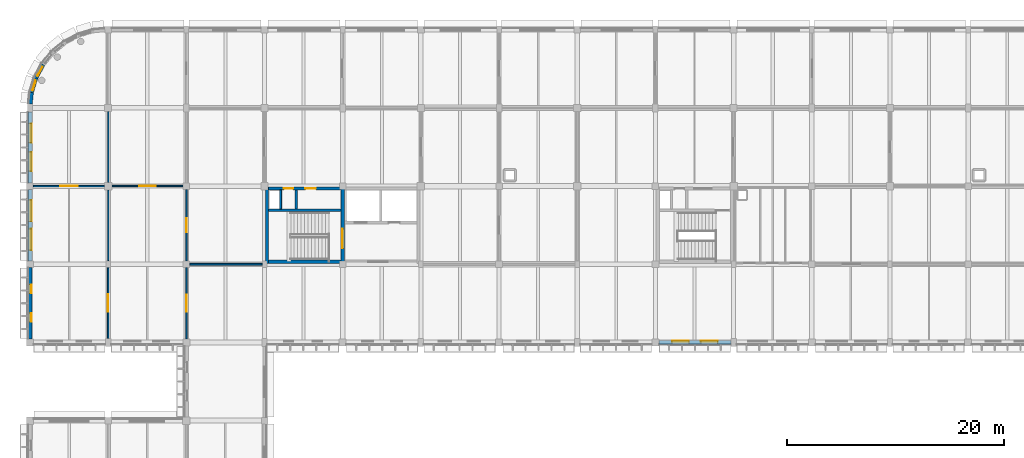
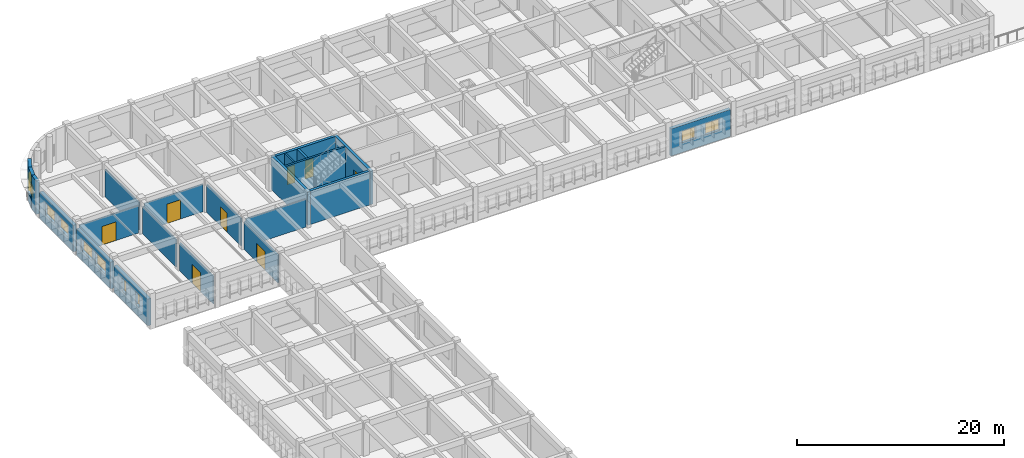
# One storey, part 24 of 38: 22 walls, 10 windows, 8 doors, 18 openings.
"""IFC4 building model written with IfcOpenShell, lengths in metres."""

import ifcopenshell
import ifcopenshell.guid

model = None  # the IFC model being written
_history = None  # IfcOwnerHistory: only IFC2X3 demands one
_inside = {}  # id of a spatial element -> (the spatial element, [elements in it])
_under = {}  # id of a project, library or spatial element -> (it, [spatial elements below it])
_declared = {}  # id of a project -> (the project, [libraries it declares])
_typed = {}  # id of a type object -> (the type object, [elements of that type])
_made_of = {}  # id of a material, layer set ... -> (it, [elements and type objects made of it])


def new_model(schema):
    """Start an empty IFC model of exactly this schema.

    Asked for "IFC4X3", IfcOpenShell would pick the latest addendum, in which some entities
    have other attributes; the version numbers below select the first issue.
    IFC2X3 requires an IfcOwnerHistory on every rooted entity: one is made here for all.
    """
    global model, _history
    if schema == "IFC4X3":
        model = ifcopenshell.file(schema_version=(4, 3, 0, 0))
    else:
        model = ifcopenshell.file(schema=schema)
    _inside.clear()
    _under.clear()
    _declared.clear()
    _typed.clear()
    _made_of.clear()
    _history = None
    if model.schema == "IFC2X3":
        org = make("IfcOrganization", Name="unknown")
        user = make(
            "IfcPersonAndOrganization",
            ThePerson=make("IfcPerson", FamilyName="unknown"),
            TheOrganization=org,
        )
        app = make(
            "IfcApplication",
            ApplicationDeveloper=org,
            Version="unknown",
            ApplicationFullName="unknown",
            ApplicationIdentifier="unknown",
        )
        _history = make(
            "IfcOwnerHistory",
            OwningUser=user,
            OwningApplication=app,
            ChangeAction="ADDED",
            CreationDate=0,
        )
    return model


def make(cls, **values):
    """One entity of the class cls with the attributes given. An attribute that is None is left unset."""
    return model.create_entity(
        cls, **{name: value for name, value in values.items() if value is not None}
    )


def rooted(cls, **values):
    """An entity with a GlobalId (a new one), such as an element, a storey or a relation."""
    return make(cls, GlobalId=ifcopenshell.guid.new(), OwnerHistory=_history, **values)


def si_unit(unit_type, name, prefix=None):
    """IfcSIUnit, for example si_unit("LENGTHUNIT", "METRE", prefix="MILLI")."""
    return make("IfcSIUnit", UnitType=unit_type, Prefix=prefix, Name=name)


def assignment(units):
    """IfcUnitAssignment: the units of a project."""
    return None if units is None else make("IfcUnitAssignment", Units=units)


def point(xyz):
    """IfcCartesianPoint."""
    return None if xyz is None else make("IfcCartesianPoint", Coordinates=xyz)


def direction(xyz):
    """IfcDirection."""
    return None if xyz is None else make("IfcDirection", DirectionRatios=xyz)


def frame(location, z_axis=None, x_axis=None):
    """IfcAxis2Placement3D, a coordinate frame: its origin and axes. An axis left out is left unset."""
    return make(
        "IfcAxis2Placement3D",
        Location=point(location),
        Axis=direction(z_axis),
        RefDirection=direction(x_axis),
    )


def frame_2d(location, x_axis=None):
    """IfcAxis2Placement2D, a coordinate frame in the plane: its origin and x axis."""
    return make(
        "IfcAxis2Placement2D", Location=point(location), RefDirection=direction(x_axis)
    )


def origin():
    """The frame at (0, 0, 0) with its axes left unset."""
    return frame((0.0, 0.0, 0.0))


def place(relative_to, where):
    """IfcLocalPlacement: puts the frame where relative to a parent placement (None: the world)."""
    return make(
        "IfcLocalPlacement", PlacementRelTo=relative_to, RelativePlacement=where
    )


def context(
    kind, dimensions, precision=None, world=None, true_north=None, identifier=None
):
    """IfcGeometricRepresentationContext, for example the 3D "Model" context."""
    return make(
        "IfcGeometricRepresentationContext",
        ContextIdentifier=identifier,
        ContextType=kind,
        CoordinateSpaceDimension=dimensions,
        Precision=precision,
        WorldCoordinateSystem=world,
        TrueNorth=true_north,
    )


def subcontext(parent, identifier, kind, view, scale=None):
    """IfcGeometricRepresentationSubContext, for example "Body" below "Model"."""
    return make(
        "IfcGeometricRepresentationSubContext",
        ContextIdentifier=identifier,
        ContextType=kind,
        ParentContext=parent,
        TargetScale=scale,
        TargetView=view,
    )


def project(units=None, contexts=None):
    """IfcProject with its units and contexts."""
    return rooted(
        "IfcProject",
        Name="project",
        RepresentationContexts=contexts,
        UnitsInContext=assignment(units),
    )


def spatial(cls, under=None, at=None, **own):
    """A site, building, storey or space (cls), placed at a placement, below another one or the project."""
    s = rooted(cls, ObjectPlacement=at, **own)
    if under is not None:
        _under.setdefault(under.id(), (under, []))[1].append(s)
    return s


def profile(cls, at=None, kind="AREA", **sizes):
    """A parametric profile (cls). Its sizes go by their IFC names, for example OverallWidth=200.0."""
    return make(cls, ProfileType=kind, Position=at, **sizes)


def rectangle(**sizes):
    """IfcRectangleProfileDef."""
    return profile("IfcRectangleProfileDef", **sizes)


def extrude(swept, where, along, depth):
    """IfcExtrudedAreaSolid: the profile swept, set in the frame where, extruded along a direction by depth."""
    return make(
        "IfcExtrudedAreaSolid",
        SweptArea=swept,
        Position=where,
        ExtrudedDirection=direction(along),
        Depth=depth,
    )


def shape(context_of_items, identifier, shape_type, items):
    """IfcShapeRepresentation: the items that make up one representation, for example the "Body"."""
    return make(
        "IfcShapeRepresentation",
        ContextOfItems=context_of_items,
        RepresentationIdentifier=identifier,
        RepresentationType=shape_type,
        Items=items,
    )


def material(Name=None, Category=None):
    """IfcMaterial."""
    return make("IfcMaterial", Name=Name, Category=Category)


def layer(
    of_material, thickness, ventilated=None, Name=None, Category=None, Priority=None
):
    """IfcMaterialLayer: one layer of a wall or slab, of a material (None: an air gap)."""
    return make(
        "IfcMaterialLayer",
        Material=of_material,
        LayerThickness=thickness,
        IsVentilated=ventilated,
        Name=Name,
        Category=Category,
        Priority=Priority,
    )


def layer_set(layers, Name=None):
    """IfcMaterialLayerSet."""
    return make("IfcMaterialLayerSet", MaterialLayers=layers, LayerSetName=Name)


def made_of(thing, what):
    """Note that an element or type object is made of a material, layer set ...; save() writes the relation."""
    if what is not None:
        _made_of.setdefault(what.id(), (what, []))[1].append(thing)
    return thing


def type_object(cls, material=None, **own):
    """A type object (cls), such as IfcWallType, which elements share."""
    return made_of(rooted(cls, **own), material)


def element(
    cls,
    number,
    at=None,
    inside=None,
    cuts=None,
    type_object=None,
    material=None,
    context=None,
    identifier="Body",
    shape_type=None,
    held_by="IfcProductDefinitionShape",
    body=None,
    shapes=None,
    **own,
):
    """One element of the class cls, such as IfcWall. Its Tag is "e" and its number.

    at: its placement. inside: the storey or other place that contains it. cuts: it is an
    opening in that element (IfcRelVoidsElement). A single representation is given by context,
    identifier, shape_type and body (its items); several are given by shapes. held_by: the class
    of the entity that holds the representations. save() writes the other relations.
    """
    e = rooted(cls, Tag="e%d" % number, ObjectPlacement=at, **own)
    if body is not None:
        shapes = [shape(context, identifier, shape_type, body)]
    if shapes is not None:
        e.Representation = make(held_by, Representations=shapes)
    if inside is not None:
        _inside.setdefault(inside.id(), (inside, []))[1].append(e)
    if cuts is not None:
        rooted(
            "IfcRelVoidsElement", RelatingBuildingElement=cuts, RelatedOpeningElement=e
        )
    if type_object is not None:
        _typed.setdefault(type_object.id(), (type_object, []))[1].append(e)
    return made_of(e, material)


def fill(opening, filler):
    """IfcRelFillsElement: the door or window that sits in an opening."""
    return rooted(
        "IfcRelFillsElement",
        RelatingOpeningElement=opening,
        RelatedBuildingElement=filler,
    )


def aggregate(whole, parts):
    """IfcRelAggregates: a whole, such as a stair, and the parts it consists of."""
    return rooted("IfcRelAggregates", RelatingObject=whole, RelatedObjects=parts)


def save(model, path):
    """Write the relations noted so far, then the file.

    IfcRelAggregates (storeys below a building ...), IfcRelContainedInSpatialStructure (elements
    in a storey), IfcRelDefinesByType, IfcRelAssociatesMaterial and IfcRelDeclares: one each for
    every whole, place, type object, material and project.
    """
    for whole, parts in _under.values():
        aggregate(whole, parts)
    for where, things in _inside.values():
        rooted(
            "IfcRelContainedInSpatialStructure",
            RelatedElements=things,
            RelatingStructure=where,
        )
    for kind, things in _typed.values():
        rooted("IfcRelDefinesByType", RelatedObjects=things, RelatingType=kind)
    for what, things in _made_of.values():
        rooted("IfcRelAssociatesMaterial", RelatedObjects=things, RelatingMaterial=what)
    for by, libraries in _declared.values():
        rooted("IfcRelDeclares", RelatingContext=by, RelatedDefinitions=libraries)
    model.write(path)


model = new_model("IFC4")

# Units and contexts
model_context = context("Model", 3, precision=1e-05, world=origin(), true_north=direction((0.0, 1.0)))
body_context = subcontext(model_context, "Body", "Model", "MODEL_VIEW")
ifc_project = project(units=[si_unit("LENGTHUNIT", "METRE"), si_unit("AREAUNIT", "SQUARE_METRE"), si_unit("VOLUMEUNIT", "CUBIC_METRE"), si_unit("PLANEANGLEUNIT", "RADIAN"), si_unit("MASSUNIT", "GRAM", prefix="KILO")], contexts=[model_context])

# Site, building, storey
site_placement = place(None, origin())
site = spatial("IfcSite", under=ifc_project, at=site_placement, CompositionType="ELEMENT")
building_placement = place(site_placement, origin())
building = spatial("IfcBuilding", under=site, at=building_placement, Name="Thalmaran Polytechnic", CompositionType="ELEMENT")
storey_placement = place(building_placement, frame((0.0, 0.0, 18.60009765625)))
storey = spatial("IfcBuildingStorey", under=building, at=storey_placement, Name="L04", CompositionType="ELEMENT", Elevation=18.60009765625)

# Wall, openings, windows
ifc_material_1 = material(Name="Precast concrete C40/50", Category="concrete")
ifc_layer_1 = layer(ifc_material_1, 0.360107421875, Name="Precast concrete C40/50")
ifc_layer_set_1 = layer_set([ifc_layer_1], Name="Precast concrete C40/50")
wall_type_1 = type_object("IfcWallType", Name="WL-EW01", PredefinedType="STANDARD", material=ifc_layer_set_1)
wall_1_placement = place(storey_placement, frame((0.0, 93.925048828125, 0.0), z_axis=(0.0, 0.0, 1.0), x_axis=(0.0, 1.0, 0.0)))
wall_1 = element("IfcWall", 1, at=wall_1_placement, inside=storey, type_object=wall_type_1, Name="Exterior Precast Facade Wall L04-042", PredefinedType="STANDARD", context=body_context, shape_type="SweptSolid", body=[
    extrude(rectangle(XDim=6.56494140625, YDim=0.360107421875, at=frame_2d((3.282470703125, 0.0))), origin(), (0.0, 0.0, 1.0), 3.14990234375),
])
opening_1_placement = place(wall_1_placement, frame((1.569580078125, 0.0, 1.14990234375)))
opening_1 = element("IfcOpeningElement", 2, at=opening_1_placement, cuts=wall_1, Name="Opening PW16", PredefinedType="OPENING", context=body_context, shape_type="SweptSolid", body=[
    extrude(rectangle(XDim=0.800048828125, YDim=1.5, at=frame_2d((0.39990234375, 0.75))), frame((0.0, 0.18994140625, 0.0), z_axis=(0.0, -1.0, 0.0), x_axis=(1.0, 0.0, 0.0)), (0.0, 0.0, 1.0), 0.380126953125),
])
opening_2_placement = place(wall_1_placement, frame((4.195556640625, 0.0, 1.14990234375)))
opening_2 = element("IfcOpeningElement", 3, at=opening_2_placement, cuts=wall_1, Name="Opening PW16", PredefinedType="OPENING", context=body_context, shape_type="SweptSolid", body=[
    extrude(rectangle(XDim=0.800048828125, YDim=1.5, at=frame_2d((0.39990234375, 0.75))), frame((0.0, 0.18994140625, 0.0), z_axis=(0.0, -1.0, 0.0), x_axis=(1.0, 0.0, 0.0)), (0.0, 0.0, 1.0), 0.380126953125),
])
ifc_material_2 = material(Name="Thermally broken aluminium and double low-E glass", Category="aluminium")
window_type_1 = type_object("IfcWindowType", Name="WN-PW06", PartitioningType="SINGLE_PANEL", PredefinedType="WINDOW", material=ifc_material_2)
window_1_placement = place(opening_1_placement, origin())
window_1 = element("IfcWindow", 4, at=window_1_placement, inside=storey, type_object=window_type_1, Name="Deep-Set Solar-Screened Window W-0578", OverallHeight=1.5, OverallWidth=0.800048828125, PartitioningType="SINGLE_PANEL", PredefinedType="WINDOW", context=body_context, shape_type="SweptSolid", body=[
    extrude(rectangle(XDim=0.800048828125, YDim=1.5, at=frame_2d((0.39990234375, 0.75))), frame((0.0, -0.080078125, 0.0), z_axis=(0.0, -1.0, 0.0), x_axis=(1.0, 0.0, 0.0)), (0.0, 0.0, 1.0), 0.06005859375),
])
fill(opening_1, window_1)
window_2_placement = place(opening_2_placement, origin())
window_2 = element("IfcWindow", 5, at=window_2_placement, inside=storey, type_object=window_type_1, Name="Deep-Set Solar-Screened Window W-0579", OverallHeight=1.5, OverallWidth=0.800048828125, PartitioningType="SINGLE_PANEL", PredefinedType="WINDOW", context=body_context, shape_type="SweptSolid", body=[
    extrude(rectangle(XDim=0.800048828125, YDim=1.5, at=frame_2d((0.39990234375, 0.75))), frame((0.0, -0.080078125, 0.0), z_axis=(0.0, -1.0, 0.0), x_axis=(1.0, 0.0, 0.0)), (0.0, 0.0, 1.0), 0.06005859375),
])
fill(opening_2, window_2)

wall_2_placement = place(storey_placement, frame((0.0, 101.110107421875, 0.0), z_axis=(0.0, 0.0, 1.0), x_axis=(0.0, 1.0, 0.0)))
wall_2 = element("IfcWall", 6, at=wall_2_placement, inside=storey, type_object=wall_type_1, Name="Exterior Precast Facade Wall L04-043", PredefinedType="STANDARD", context=body_context, shape_type="SweptSolid", body=[
    extrude(rectangle(XDim=6.58984375, YDim=0.360107421875, at=frame_2d((3.294921875, 0.0))), origin(), (0.0, 0.0, 1.0), 3.14990234375),
])
opening_3_placement = place(wall_2_placement, frame((1.001953125, 0.0, 1.14990234375)))
opening_3 = element("IfcOpeningElement", 7, at=opening_3_placement, cuts=wall_2, Name="Opening VW07", PredefinedType="OPENING", context=body_context, shape_type="SweptSolid", body=[
    extrude(rectangle(XDim=1.949951171875, YDim=1.39990234375, at=frame_2d((0.97509765625, 0.699951171875))), frame((0.0, 0.18994140625, 0.0), z_axis=(0.0, -1.0, 0.0), x_axis=(1.0, 0.0, 0.0)), (0.0, 0.0, 1.0), 0.380126953125),
])
opening_4_placement = place(wall_2_placement, frame((3.637939453125, 0.0, 1.14990234375)))
opening_4 = element("IfcOpeningElement", 8, at=opening_4_placement, cuts=wall_2, Name="Opening VW07", PredefinedType="OPENING", context=body_context, shape_type="SweptSolid", body=[
    extrude(rectangle(XDim=1.949951171875, YDim=1.39990234375, at=frame_2d((0.97509765625, 0.699951171875))), frame((0.0, 0.18994140625, 0.0), z_axis=(0.0, -1.0, 0.0), x_axis=(1.0, 0.0, 0.0)), (0.0, 0.0, 1.0), 0.380126953125),
])
window_type_2 = type_object("IfcWindowType", Name="WN-VZ07", PartitioningType="SINGLE_PANEL", PredefinedType="WINDOW", material=ifc_material_2)
window_3_placement = place(opening_3_placement, origin())
window_3 = element("IfcWindow", 9, at=window_3_placement, inside=storey, type_object=window_type_2, Name="Deep-Set Solar-Screened Window W-0580", OverallHeight=1.39990234375, OverallWidth=1.949951171875, PartitioningType="SINGLE_PANEL", PredefinedType="WINDOW", context=body_context, shape_type="SweptSolid", body=[
    extrude(rectangle(XDim=1.949951171875, YDim=1.39990234375, at=frame_2d((0.97509765625, 0.699951171875))), frame((0.0, -0.080078125, 0.0), z_axis=(0.0, -1.0, 0.0), x_axis=(1.0, 0.0, 0.0)), (0.0, 0.0, 1.0), 0.06005859375),
])
fill(opening_3, window_3)
window_4_placement = place(opening_4_placement, origin())
window_4 = element("IfcWindow", 10, at=window_4_placement, inside=storey, type_object=window_type_2, Name="Deep-Set Solar-Screened Window W-0581", OverallHeight=1.39990234375, OverallWidth=1.949951171875, PartitioningType="SINGLE_PANEL", PredefinedType="WINDOW", context=body_context, shape_type="SweptSolid", body=[
    extrude(rectangle(XDim=1.949951171875, YDim=1.39990234375, at=frame_2d((0.97509765625, 0.699951171875))), frame((0.0, -0.080078125, 0.0), z_axis=(0.0, -1.0, 0.0), x_axis=(1.0, 0.0, 0.0)), (0.0, 0.0, 1.0), 0.06005859375),
])
fill(opening_4, window_4)

wall_3_placement = place(storey_placement, frame((0.0, 108.300048828125, 0.0), z_axis=(0.0, 0.0, 1.0), x_axis=(0.0, 1.0, 0.0)))
wall_3 = element("IfcWall", 11, at=wall_3_placement, inside=storey, type_object=wall_type_1, Name="Exterior Precast Facade Wall L04-044", PredefinedType="STANDARD", context=body_context, shape_type="SweptSolid", body=[
    extrude(rectangle(XDim=6.52490234375, YDim=0.360107421875, at=frame_2d((3.262451171875, 0.0))), origin(), (0.0, 0.0, 1.0), 3.14990234375),
])
opening_5_placement = place(wall_3_placement, frame((1.08251953125, 0.0, 1.14990234375)))
opening_5 = element("IfcOpeningElement", 12, at=opening_5_placement, cuts=wall_3, Name="Opening VW08", PredefinedType="OPENING", context=body_context, shape_type="SweptSolid", body=[
    extrude(rectangle(XDim=1.75, YDim=1.39990234375, at=frame_2d((0.875, 0.699951171875))), frame((0.0, 0.18994140625, 0.0), z_axis=(0.0, -1.0, 0.0), x_axis=(1.0, 0.0, 0.0)), (0.0, 0.0, 1.0), 0.380126953125),
])
opening_6_placement = place(wall_3_placement, frame((3.6923828125, 0.0, 1.14990234375)))
opening_6 = element("IfcOpeningElement", 13, at=opening_6_placement, cuts=wall_3, Name="Opening VW08", PredefinedType="OPENING", context=body_context, shape_type="SweptSolid", body=[
    extrude(rectangle(XDim=1.75, YDim=1.39990234375, at=frame_2d((0.875, 0.699951171875))), frame((0.0, 0.18994140625, 0.0), z_axis=(0.0, -1.0, 0.0), x_axis=(1.0, 0.0, 0.0)), (0.0, 0.0, 1.0), 0.380126953125),
])
window_type_3 = type_object("IfcWindowType", Name="WN-VZ08", PartitioningType="SINGLE_PANEL", PredefinedType="WINDOW", material=ifc_material_2)
window_5_placement = place(opening_5_placement, origin())
window_5 = element("IfcWindow", 14, at=window_5_placement, inside=storey, type_object=window_type_3, Name="Deep-Set Solar-Screened Window W-0582", OverallHeight=1.39990234375, OverallWidth=1.75, PartitioningType="SINGLE_PANEL", PredefinedType="WINDOW", context=body_context, shape_type="SweptSolid", body=[
    extrude(rectangle(XDim=1.75, YDim=1.39990234375, at=frame_2d((0.875, 0.699951171875))), frame((0.0, -0.080078125, 0.0), z_axis=(0.0, -1.0, 0.0), x_axis=(1.0, 0.0, 0.0)), (0.0, 0.0, 1.0), 0.06005859375),
])
fill(opening_5, window_5)
window_6_placement = place(opening_6_placement, origin())
window_6 = element("IfcWindow", 15, at=window_6_placement, inside=storey, type_object=window_type_3, Name="Deep-Set Solar-Screened Window W-0583", OverallHeight=1.39990234375, OverallWidth=1.75, PartitioningType="SINGLE_PANEL", PredefinedType="WINDOW", context=body_context, shape_type="SweptSolid", body=[
    extrude(rectangle(XDim=1.75, YDim=1.39990234375, at=frame_2d((0.875, 0.699951171875))), frame((0.0, -0.080078125, 0.0), z_axis=(0.0, -1.0, 0.0), x_axis=(1.0, 0.0, 0.0)), (0.0, 0.0, 1.0), 0.06005859375),
])
fill(opening_6, window_6)

# Wall
wall_4_placement = place(storey_placement, frame((0.036865234375, 115.5732421875, 0.0), z_axis=(0.0, 0.0, 1.0), x_axis=(0.097987704654, 0.995187625394, 0.0)))
element("IfcWall", 16, at=wall_4_placement, inside=storey, type_object=wall_type_1, Name="Exterior Precast Facade Wall L04-045", PredefinedType="STANDARD", context=body_context, shape_type="SweptSolid", body=[
    extrude(rectangle(XDim=1.036376953125, YDim=0.360107421875, at=frame_2d((0.51806640625, 0.0))), origin(), (0.0, 0.0, 1.0), 3.954833984375),
])

# Wall, opening, window
wall_5_placement = place(storey_placement, frame((0.138427734375, 116.604736328125, 0.0), z_axis=(0.0, 0.0, 1.0), x_axis=(0.290266641956, 0.956945806495, 0.0)))
wall_5 = element("IfcWall", 17, at=wall_5_placement, inside=storey, type_object=wall_type_1, Name="Exterior Precast Facade Wall L04-046", PredefinedType="STANDARD", context=body_context, shape_type="SweptSolid", body=[
    extrude(rectangle(XDim=1.411376953125, YDim=0.360107421875, at=frame_2d((0.70556640625, 0.0))), origin(), (0.0, 0.0, 1.0), 3.954833984375),
])
opening_7_placement = place(wall_5_placement, frame((0.2255859375, 0.0, 1.0)))
opening_7 = element("IfcOpeningElement", 18, at=opening_7_placement, cuts=wall_5, Name="Opening CR01", PredefinedType="OPENING", context=body_context, shape_type="SweptSolid", body=[
    extrude(rectangle(XDim=0.9599609375, YDim=1.39990234375, at=frame_2d((0.47998046875, 0.699951171875))), frame((0.0, 0.18994140625, 0.0), z_axis=(0.0, -1.0, 0.0), x_axis=(1.0, 0.0, 0.0)), (0.0, 0.0, 1.0), 0.380126953125),
])
window_type_4 = type_object("IfcWindowType", Name="WN-CR01", PartitioningType="SINGLE_PANEL", PredefinedType="WINDOW", material=ifc_material_2)
window_7_placement = place(opening_7_placement, origin())
window_7 = element("IfcWindow", 19, at=window_7_placement, inside=storey, type_object=window_type_4, Name="Curved Prow Ribbon Window W-0584", OverallHeight=1.39990234375, OverallWidth=0.9599609375, PartitioningType="SINGLE_PANEL", PredefinedType="WINDOW", context=body_context, shape_type="SweptSolid", body=[
    extrude(rectangle(XDim=0.9599609375, YDim=1.39990234375, at=frame_2d((0.47998046875, 0.699951171875))), frame((0.0, -0.010009765625, 0.0), z_axis=(0.0, -1.0, 0.0), x_axis=(1.0, 0.0, 0.0)), (0.0, 0.0, 1.0), 0.06005859375),
])
fill(opening_7, window_7)

wall_6_placement = place(storey_placement, frame((0.548095703125, 117.955322265625, 0.0), z_axis=(0.0, 0.0, 1.0), x_axis=(0.471333199182, 0.881955222984, 0.0)))
wall_6 = element("IfcWall", 20, at=wall_6_placement, inside=storey, type_object=wall_type_1, Name="Exterior Precast Facade Wall L04-047", PredefinedType="STANDARD", context=body_context, shape_type="SweptSolid", body=[
    extrude(rectangle(XDim=1.411376953125, YDim=0.360107421875, at=frame_2d((0.70556640625, 0.0))), origin(), (0.0, 0.0, 1.0), 3.954833984375),
])
opening_8_placement = place(wall_6_placement, frame((0.2255859375, 0.0, 1.0)))
opening_8 = element("IfcOpeningElement", 21, at=opening_8_placement, cuts=wall_6, Name="Opening CR01", PredefinedType="OPENING", context=body_context, shape_type="SweptSolid", body=[
    extrude(rectangle(XDim=0.9599609375, YDim=1.39990234375, at=frame_2d((0.47998046875, 0.699951171875))), frame((0.0, 0.18994140625, 0.0), z_axis=(0.0, -1.0, 0.0), x_axis=(1.0, 0.0, 0.0)), (0.0, 0.0, 1.0), 0.380126953125),
])
window_8_placement = place(opening_8_placement, origin())
window_8 = element("IfcWindow", 22, at=window_8_placement, inside=storey, type_object=window_type_4, Name="Curved Prow Ribbon Window W-0585", OverallHeight=1.39990234375, OverallWidth=0.9599609375, PartitioningType="SINGLE_PANEL", PredefinedType="WINDOW", context=body_context, shape_type="SweptSolid", body=[
    extrude(rectangle(XDim=0.9599609375, YDim=1.39990234375, at=frame_2d((0.47998046875, 0.699951171875))), frame((0.0, -0.010009765625, 0.0), z_axis=(0.0, -1.0, 0.0), x_axis=(1.0, 0.0, 0.0)), (0.0, 0.0, 1.0), 0.06005859375),
])
fill(opening_8, window_8)

# Wall, openings, windows
wall_7_placement = place(storey_placement, frame((64.550048828125, 93.60009765625, 0.0), z_axis=(0.0, 0.0, 1.0), x_axis=(-1.0, 0.0, 0.0)))
wall_7 = element("IfcWall", 23, at=wall_7_placement, inside=storey, type_object=wall_type_1, Name="Exterior Precast Facade Wall L04-073", PredefinedType="STANDARD", context=body_context, shape_type="SweptSolid", body=[
    extrude(rectangle(XDim=6.625, YDim=0.360107421875, at=frame_2d((3.3125, 0.0))), origin(), (0.0, 0.0, 1.0), 3.199951171875),
])
opening_9_placement = place(wall_7_placement, frame((1.21240234375, 0.0, 1.14990234375)))
opening_9 = element("IfcOpeningElement", 24, at=opening_9_placement, cuts=wall_7, Name="Opening VW09", PredefinedType="OPENING", context=body_context, shape_type="SweptSolid", body=[
    extrude(rectangle(XDim=1.550048828125, YDim=1.35009765625, at=frame_2d((0.77490234375, 0.675048828125))), frame((0.0, 0.18994140625, 0.0), z_axis=(0.0, -1.0, 0.0), x_axis=(1.0, 0.0, 0.0)), (0.0, 0.0, 1.0), 0.380126953125),
])
opening_10_placement = place(wall_7_placement, frame((3.862548828125, 0.0, 1.14990234375)))
opening_10 = element("IfcOpeningElement", 25, at=opening_10_placement, cuts=wall_7, Name="Opening VW09", PredefinedType="OPENING", context=body_context, shape_type="SweptSolid", body=[
    extrude(rectangle(XDim=1.550048828125, YDim=1.35009765625, at=frame_2d((0.77490234375, 0.675048828125))), frame((0.0, 0.18994140625, 0.0), z_axis=(0.0, -1.0, 0.0), x_axis=(1.0, 0.0, 0.0)), (0.0, 0.0, 1.0), 0.380126953125),
])
window_type_5 = type_object("IfcWindowType", Name="WN-VZ09", PartitioningType="SINGLE_PANEL", PredefinedType="WINDOW", material=ifc_material_2)
window_9_placement = place(opening_9_placement, origin())
window_9 = element("IfcWindow", 26, at=window_9_placement, inside=storey, type_object=window_type_5, Name="Deep-Set Solar-Screened Window W-0612", OverallHeight=1.35009765625, OverallWidth=1.550048828125, PartitioningType="SINGLE_PANEL", PredefinedType="WINDOW", context=body_context, shape_type="SweptSolid", body=[
    extrude(rectangle(XDim=1.550048828125, YDim=1.35009765625, at=frame_2d((0.77490234375, 0.675048828125))), frame((0.0, -0.080078125, 0.0), z_axis=(0.0, -1.0, 0.0), x_axis=(1.0, 0.0, 0.0)), (0.0, 0.0, 1.0), 0.06005859375),
])
fill(opening_9, window_9)
window_10_placement = place(opening_10_placement, origin())
window_10 = element("IfcWindow", 27, at=window_10_placement, inside=storey, type_object=window_type_5, Name="Deep-Set Solar-Screened Window W-0613", OverallHeight=1.35009765625, OverallWidth=1.550048828125, PartitioningType="SINGLE_PANEL", PredefinedType="WINDOW", context=body_context, shape_type="SweptSolid", body=[
    extrude(rectangle(XDim=1.550048828125, YDim=1.35009765625, at=frame_2d((0.77490234375, 0.675048828125))), frame((0.0, -0.080078125, 0.0), z_axis=(0.0, -1.0, 0.0), x_axis=(1.0, 0.0, 0.0)), (0.0, 0.0, 1.0), 0.06005859375),
])
fill(opening_10, window_10)

# Walls
ifc_material_3 = material(Name="Autoclaved aerated masonry", Category="masonry")
ifc_layer_2 = layer(ifc_material_3, 0.22998046875, Name="Autoclaved aerated masonry")
ifc_layer_set_2 = layer_set([ifc_layer_2], Name="Autoclaved aerated masonry")
wall_type_2 = type_object("IfcWallType", Name="WL-IW02", PredefinedType="PARTITIONING", material=ifc_layer_set_2)
wall_8_placement = place(storey_placement, frame((24.5, 105.89990234375, 0.0), z_axis=(0.0, 0.0, 1.0), x_axis=(0.0, 1.0, 0.0)))
element("IfcWall", 28, at=wall_8_placement, inside=storey, type_object=wall_type_2, Name="Core C2 Riser Partition L04", PredefinedType="PARTITIONING", context=body_context, shape_type="SweptSolid", body=[
    extrude(rectangle(XDim=1.739990234375, YDim=0.22998046875, at=frame_2d((0.8701171875, 0.0))), origin(), (0.0, 0.0, 1.0), 3.954833984375),
])
ifc_layer_3 = layer(ifc_material_3, 0.179931640625, Name="Autoclaved aerated masonry")
ifc_layer_set_3 = layer_set([ifc_layer_3], Name="Autoclaved aerated masonry")
wall_type_3 = type_object("IfcWallType", Name="WL-IW04", PredefinedType="PARTITIONING", material=ifc_layer_set_3)
wall_9_placement = place(storey_placement, frame((23.080078125, 105.8798828125, 0.0), z_axis=(0.0, 0.0, 1.0), x_axis=(0.0, 1.0, 0.0)))
element("IfcWall", 29, at=wall_9_placement, inside=storey, type_object=wall_type_3, Name="Core C2 Riser Shaft Enclosure Wall L04", PredefinedType="PARTITIONING", context=body_context, shape_type="SweptSolid", body=[
    extrude(rectangle(XDim=1.760009765625, YDim=0.179931640625, at=frame_2d((0.8798828125, 0.0))), origin(), (0.0, 0.0, 1.0), 3.954833984375),
])

# Wall, opening, door
ifc_material_4 = material(Name="Gypsum acoustic partition")
ifc_layer_4 = layer(ifc_material_4, 0.14501953125, Name="Gypsum acoustic partition")
ifc_layer_set_4 = layer_set([ifc_layer_4], Name="Gypsum acoustic partition")
wall_type_4 = type_object("IfcWallType", Name="WL-IW06", PredefinedType="PARTITIONING", material=ifc_layer_set_4)
wall_10_placement = place(storey_placement, frame((14.39990234375, 93.929931640625, 0.0), z_axis=(0.0, 0.0, 1.0), x_axis=(0.0, 1.0, 0.0)))
wall_10 = element("IfcWall", 30, at=wall_10_placement, inside=storey, type_object=wall_type_4, Name="Interior Partition IW06 L04-021", PredefinedType="PARTITIONING", context=body_context, shape_type="SweptSolid", body=[
    extrude(rectangle(XDim=6.55517578125, YDim=0.14501953125, at=frame_2d((3.277587890625, 0.0))), origin(), (0.0, 0.0, 1.0), 3.264892578125),
])
opening_11_placement = place(wall_10_placement, frame((2.4775390625, 0.0, 0.0)))
opening_11 = element("IfcOpeningElement", 31, at=opening_11_placement, cuts=wall_10, Name="Opening D-L04-010-2-03-1", PredefinedType="OPENING", context=body_context, shape_type="SweptSolid", body=[
    extrude(rectangle(XDim=1.60009765625, YDim=2.199951171875, at=frame_2d((0.800048828125, 1.10009765625))), frame((0.0, 0.08251953125, 0.0), z_axis=(0.0, -1.0, 0.0), x_axis=(1.0, 0.0, 0.0)), (0.0, 0.0, 1.0), 0.1650390625),
])
ifc_material_5 = material(Name="Powder-coated fire-rated steel", Category="steel")
door_type_1 = type_object("IfcDoorType", Name="DR-FD05", OperationType="NOTDEFINED", PredefinedType="DOOR", material=ifc_material_5)
door_1_placement = place(opening_11_placement, origin())
door_1 = element("IfcDoor", 32, at=door_1_placement, inside=storey, type_object=door_type_1, Name="Library Book Stacks L04-03 Door 1", OperationType="DOUBLE_DOOR_SINGLE_SWING", OverallHeight=2.199951171875, OverallWidth=1.60009765625, PredefinedType="DOOR", context=body_context, shape_type="SweptSolid", body=[
    extrude(rectangle(XDim=1.60009765625, YDim=2.199951171875, at=frame_2d((0.800048828125, 1.10009765625))), frame((0.0, 0.02490234375, 0.0), z_axis=(0.0, -1.0, 0.0), x_axis=(1.0, 0.0, 0.0)), (0.0, 0.0, 1.0), 0.050048828125),
])
fill(opening_11, door_1)

# Wall
wall_11_placement = place(storey_placement, frame((14.715087890625, 100.800048828125, 0.0), z_axis=(0.0, 0.0, 1.0), x_axis=(1.0, 0.0, 0.0)))
element("IfcWall", 33, at=wall_11_placement, inside=storey, type_object=wall_type_4, Name="Interior Partition IW06 L04-027", PredefinedType="PARTITIONING", context=body_context, shape_type="SweptSolid", body=[
    extrude(rectangle(XDim=6.669921875, YDim=0.14501953125, at=frame_2d((3.3349609375, 0.0))), origin(), (0.0, 0.0, 1.0), 3.294921875),
])

# Wall, opening, door
ifc_layer_5 = layer(ifc_material_4, 0.1298828125, Name="Gypsum acoustic partition")
ifc_layer_set_5 = layer_set([ifc_layer_5], Name="Gypsum acoustic partition")
wall_type_5 = type_object("IfcWallType", Name="WL-IW07", PredefinedType="PARTITIONING", material=ifc_layer_set_5)
wall_12_placement = place(storey_placement, frame((7.199951171875, 93.97998046875, 0.0), z_axis=(0.0, 0.0, 1.0), x_axis=(0.0, 1.0, 0.0)))
wall_12 = element("IfcWall", 34, at=wall_12_placement, inside=storey, type_object=wall_type_5, Name="Interior Partition IW07 L04-006", PredefinedType="PARTITIONING", context=body_context, shape_type="SweptSolid", body=[
    extrude(rectangle(XDim=6.4951171875, YDim=0.1298828125, at=frame_2d((3.24755859375, 0.0))), origin(), (0.0, 0.0, 1.0), 3.264892578125),
])
opening_12_placement = place(wall_12_placement, frame((2.447509765625, 0.0, 0.0)))
opening_12 = element("IfcOpeningElement", 35, at=opening_12_placement, cuts=wall_12, Name="Opening D-L04-029-2-01-1", PredefinedType="OPENING", context=body_context, shape_type="SweptSolid", body=[
    extrude(rectangle(XDim=1.60009765625, YDim=2.199951171875, at=frame_2d((0.800048828125, 1.10009765625))), frame((0.0, 0.074951171875, 0.0), z_axis=(0.0, -1.0, 0.0), x_axis=(1.0, 0.0, 0.0)), (0.0, 0.0, 1.0), 0.14990234375),
])
door_2_placement = place(opening_12_placement, origin())
door_2 = element("IfcDoor", 36, at=door_2_placement, inside=storey, type_object=door_type_1, Name="Technical Reference Library Reading Room L04-01 Door 1", OperationType="DOUBLE_DOOR_SINGLE_SWING", OverallHeight=2.199951171875, OverallWidth=1.60009765625, PredefinedType="DOOR", context=body_context, shape_type="SweptSolid", body=[
    extrude(rectangle(XDim=1.60009765625, YDim=2.199951171875, at=frame_2d((0.800048828125, 1.10009765625))), frame((0.0, 0.02490234375, 0.0), z_axis=(0.0, -1.0, 0.0), x_axis=(1.0, 0.0, 0.0)), (0.0, 0.0, 1.0), 0.050048828125),
])
fill(opening_12, door_2)

wall_13_placement = place(storey_placement, frame((0.304931640625, 108.0, 0.0), z_axis=(0.0, 0.0, 1.0), x_axis=(1.0, 0.0, 0.0)))
wall_13 = element("IfcWall", 37, at=wall_13_placement, inside=storey, type_object=wall_type_5, Name="Interior Partition IW07 L04-008", PredefinedType="PARTITIONING", context=body_context, shape_type="SweptSolid", body=[
    extrude(rectangle(XDim=6.550048828125, YDim=0.1298828125, at=frame_2d((3.27490234375, 0.0))), origin(), (0.0, 0.0, 1.0), 3.23486328125),
])
opening_13_placement = place(wall_13_placement, frame((2.47509765625, 0.0, 0.0)))
opening_13 = element("IfcOpeningElement", 38, at=opening_13_placement, cuts=wall_13, Name="Opening D-L04-030-2-02-1", PredefinedType="OPENING", context=body_context, shape_type="SweptSolid", body=[
    extrude(rectangle(XDim=1.60009765625, YDim=2.199951171875, at=frame_2d((0.800048828125, 1.10009765625))), frame((0.0, 0.074951171875, 0.0), z_axis=(0.0, -1.0, 0.0), x_axis=(1.0, 0.0, 0.0)), (0.0, 0.0, 1.0), 0.14990234375),
])
door_3_placement = place(opening_13_placement, origin())
door_3 = element("IfcDoor", 39, at=door_3_placement, inside=storey, type_object=door_type_1, Name="Polytechnic Library Reading Hall L04-02 Door 1", OperationType="DOUBLE_DOOR_SINGLE_SWING", OverallHeight=2.199951171875, OverallWidth=1.60009765625, PredefinedType="DOOR", context=body_context, shape_type="SweptSolid", body=[
    extrude(rectangle(XDim=1.60009765625, YDim=2.199951171875, at=frame_2d((0.800048828125, 1.10009765625))), frame((0.0, 0.02490234375, 0.0), z_axis=(0.0, -1.0, 0.0), x_axis=(1.0, 0.0, 0.0)), (0.0, 0.0, 1.0), 0.050048828125),
])
fill(opening_13, door_3)

wall_14_placement = place(storey_placement, frame((14.39990234375, 101.114990234375, 0.0), z_axis=(0.0, 0.0, 1.0), x_axis=(0.0, 1.0, 0.0)))
wall_14 = element("IfcWall", 40, at=wall_14_placement, inside=storey, type_object=wall_type_5, Name="Interior Partition IW07 L04-022", PredefinedType="PARTITIONING", context=body_context, shape_type="SweptSolid", body=[
    extrude(rectangle(XDim=6.580078125, YDim=0.1298828125, at=frame_2d((3.2900390625, 0.0))), origin(), (0.0, 0.0, 1.0), 3.260009765625),
])
opening_14_placement = place(wall_14_placement, frame((2.64990234375, 0.0, 0.0)))
opening_14 = element("IfcOpeningElement", 41, at=opening_14_placement, cuts=wall_14, Name="Opening D-L04-012-2-05-1", PredefinedType="OPENING", context=body_context, shape_type="SweptSolid", body=[
    extrude(rectangle(XDim=1.280029296875, YDim=2.239990234375, at=frame_2d((0.64013671875, 1.1201171875))), frame((0.0, 0.074951171875, 0.0), z_axis=(0.0, -1.0, 0.0), x_axis=(1.0, 0.0, 0.0)), (0.0, 0.0, 1.0), 0.14990234375),
])
door_type_2 = type_object("IfcDoorType", Name="DR-ZD10", OperationType="NOTDEFINED", PredefinedType="DOOR", material=ifc_material_5)
door_4_placement = place(opening_14_placement, origin())
door_4 = element("IfcDoor", 42, at=door_4_placement, inside=storey, type_object=door_type_2, Name="Seminar Room L04-05 Door 1", OperationType="SINGLE_SWING_LEFT", OverallHeight=2.239990234375, OverallWidth=1.280029296875, PredefinedType="DOOR", context=body_context, shape_type="SweptSolid", body=[
    extrude(rectangle(XDim=1.280029296875, YDim=2.239990234375, at=frame_2d((0.64013671875, 1.1201171875))), frame((0.0, 0.02490234375, 0.0), z_axis=(0.0, -1.0, 0.0), x_axis=(1.0, 0.0, 0.0)), (0.0, 0.0, 1.0), 0.050048828125),
])
fill(opening_14, door_4)

# Walls
ifc_layer_6 = layer(ifc_material_4, 0.114990234375, Name="Gypsum acoustic partition")
ifc_layer_set_6 = layer_set([ifc_layer_6], Name="Gypsum acoustic partition")
wall_type_6 = type_object("IfcWallType", Name="WL-IW08", PredefinedType="PARTITIONING", material=ifc_layer_set_6)
wall_15_placement = place(storey_placement, frame((7.199951171875, 101.125, 0.0), z_axis=(0.0, 0.0, 1.0), x_axis=(0.0, 1.0, 0.0)))
element("IfcWall", 43, at=wall_15_placement, inside=storey, type_object=wall_type_6, Name="Interior Partition IW08 L04-007", PredefinedType="PARTITIONING", context=body_context, shape_type="SweptSolid", body=[
    extrude(rectangle(XDim=6.530029296875, YDim=0.114990234375, at=frame_2d((3.26513671875, 0.0))), origin(), (0.0, 0.0, 1.0), 3.260009765625),
])
wall_16_placement = place(storey_placement, frame((7.199951171875, 108.344970703125, 0.0), z_axis=(0.0, 0.0, 1.0), x_axis=(0.0, 1.0, 0.0)))
element("IfcWall", 44, at=wall_16_placement, inside=storey, type_object=wall_type_6, Name="Interior Partition IW08 L04-009", PredefinedType="PARTITIONING", context=body_context, shape_type="SweptSolid", body=[
    extrude(rectangle(XDim=6.525146484375, YDim=0.114990234375, at=frame_2d((3.2626953125, 0.0))), origin(), (0.0, 0.0, 1.0), 3.260009765625),
])

# Wall, opening, door
wall_17_placement = place(storey_placement, frame((7.544921875, 108.0, 0.0), z_axis=(0.0, 0.0, 1.0), x_axis=(1.0, 0.0, 0.0)))
wall_17 = element("IfcWall", 45, at=wall_17_placement, inside=storey, type_object=wall_type_6, Name="Interior Partition IW08 L04-023", PredefinedType="PARTITIONING", context=body_context, shape_type="SweptSolid", body=[
    extrude(rectangle(XDim=6.550048828125, YDim=0.114990234375, at=frame_2d((3.27490234375, 0.0))), origin(), (0.0, 0.0, 1.0), 3.2548828125),
])
opening_15_placement = place(wall_17_placement, frame((2.534912109375, 0.0, 0.0)))
opening_15 = element("IfcOpeningElement", 46, at=opening_15_placement, cuts=wall_17, Name="Opening D-L04-011-2-04-1", PredefinedType="OPENING", context=body_context, shape_type="SweptSolid", body=[
    extrude(rectangle(XDim=1.47998046875, YDim=2.280029296875, at=frame_2d((0.739990234375, 1.14013671875))), frame((0.0, 0.0673828125, 0.0), z_axis=(0.0, -1.0, 0.0), x_axis=(1.0, 0.0, 0.0)), (0.0, 0.0, 1.0), 0.135009765625),
])
door_type_3 = type_object("IfcDoorType", Name="DR-ZD09", OperationType="NOTDEFINED", PredefinedType="DOOR", material=ifc_material_5)
door_5_placement = place(opening_15_placement, origin())
door_5 = element("IfcDoor", 47, at=door_5_placement, inside=storey, type_object=door_type_3, Name="Digital Learning Commons L04-04 Door 1", OperationType="SINGLE_SWING_RIGHT", OverallHeight=2.280029296875, OverallWidth=1.47998046875, PredefinedType="DOOR", context=body_context, shape_type="SweptSolid", body=[
    extrude(rectangle(XDim=1.47998046875, YDim=2.280029296875, at=frame_2d((0.739990234375, 1.14013671875))), frame((0.0, 0.02490234375, 0.0), z_axis=(0.0, -1.0, 0.0), x_axis=(1.0, 0.0, 0.0)), (0.0, 0.0, 1.0), 0.050048828125),
])
fill(opening_15, door_5)

# Walls
ifc_material_6 = material(Name="Concrete C50/60", Category="concrete")
ifc_layer_7 = layer(ifc_material_6, 0.300048828125, Name="Concrete C50/60")
ifc_layer_set_7 = layer_set([ifc_layer_7], Name="Concrete C50/60")
wall_type_7 = type_object("IfcWallType", Name="WL-SW04", PredefinedType="SHEAR", material=ifc_layer_set_7)
wall_18_placement = place(storey_placement, frame((21.969970703125, 101.02001953125, 0.0), z_axis=(0.0, 0.0, 1.0), x_axis=(1.0, 0.0, 0.0)))
element("IfcWall", 48, at=wall_18_placement, inside=storey, type_object=wall_type_7, Name="Core C2 South Shear Wall L04", PredefinedType="SHEAR", context=body_context, shape_type="SweptSolid", body=[
    extrude(rectangle(XDim=6.679931640625, YDim=0.300048828125, at=frame_2d((3.33984375, 0.0))), origin(), (0.0, 0.0, 1.0), 3.954833984375),
])
wall_19_placement = place(storey_placement, frame((21.820068359375, 107.929931640625, 0.0), z_axis=(0.0, 0.0, 1.0), x_axis=(0.0, -1.0, 0.0)))
element("IfcWall", 49, at=wall_19_placement, inside=storey, type_object=wall_type_7, Name="Core C2 West Shear Wall L04", PredefinedType="SHEAR", context=body_context, shape_type="SweptSolid", body=[
    extrude(rectangle(XDim=7.059814453125, YDim=0.300048828125, at=frame_2d((3.52978515625, 0.0))), origin(), (0.0, 0.0, 1.0), 3.954833984375),
])

# Wall, openings, doors
wall_20_placement = place(storey_placement, frame((21.969970703125, 107.780029296875, 0.0), z_axis=(0.0, 0.0, 1.0), x_axis=(1.0, 0.0, 0.0)))
wall_20 = element("IfcWall", 50, at=wall_20_placement, inside=storey, type_object=wall_type_7, Name="Core C2 North Shear Wall L04", PredefinedType="SHEAR", context=body_context, shape_type="SweptSolid", body=[
    extrude(rectangle(XDim=6.679931640625, YDim=0.300048828125, at=frame_2d((3.33984375, 0.0))), origin(), (0.0, 0.0, 1.0), 3.954833984375),
])
opening_16_placement = place(wall_20_placement, frame((1.419921875, 0.0, 0.0)))
opening_16 = element("IfcOpeningElement", 51, at=opening_16_placement, cuts=wall_20, Name="Opening DR-C2-L04-R", PredefinedType="OPENING", context=body_context, shape_type="SweptSolid", body=[
    extrude(rectangle(XDim=0.85009765625, YDim=2.10009765625, at=frame_2d((0.425048828125, 1.050048828125))), frame((0.0, 0.159912109375, 0.0), z_axis=(0.0, -1.0, 0.0), x_axis=(1.0, 0.0, 0.0)), (0.0, 0.0, 1.0), 0.320068359375),
])
opening_17_placement = place(wall_20_placement, frame((3.39990234375, 0.0, 0.0)))
opening_17 = element("IfcOpeningElement", 52, at=opening_17_placement, cuts=wall_20, Name="Opening ED-C2-L04-E", PredefinedType="OPENING", context=body_context, shape_type="SweptSolid", body=[
    extrude(rectangle(XDim=0.949951171875, YDim=2.14990234375, at=frame_2d((0.47509765625, 1.074951171875))), frame((0.0, 0.159912109375, 0.0), z_axis=(0.0, -1.0, 0.0), x_axis=(1.0, 0.0, 0.0)), (0.0, 0.0, 1.0), 0.320068359375),
])
door_type_4 = type_object("IfcDoorType", Name="DR-FD08", OperationType="NOTDEFINED", PredefinedType="DOOR", material=ifc_material_5)
door_6_placement = place(opening_17_placement, origin())
door_6 = element("IfcDoor", 53, at=door_6_placement, inside=storey, type_object=door_type_4, Name="Electrical Riser Door C2 L04", OperationType="SINGLE_SWING_RIGHT", OverallHeight=2.14990234375, OverallWidth=0.949951171875, PredefinedType="DOOR", context=body_context, shape_type="SweptSolid", body=[
    extrude(rectangle(XDim=0.949951171875, YDim=2.14990234375, at=frame_2d((0.47509765625, 1.074951171875))), frame((0.0, 0.02490234375, 0.0), z_axis=(0.0, -1.0, 0.0), x_axis=(1.0, 0.0, 0.0)), (0.0, 0.0, 1.0), 0.050048828125),
])
fill(opening_17, door_6)
door_type_5 = type_object("IfcDoorType", Name="DR-FD09", OperationType="NOTDEFINED", PredefinedType="DOOR", material=ifc_material_5)
door_7_placement = place(opening_16_placement, origin())
door_7 = element("IfcDoor", 54, at=door_7_placement, inside=storey, type_object=door_type_5, Name="Riser Access Fire Door C2 L04", OperationType="SINGLE_SWING_RIGHT", OverallHeight=2.10009765625, OverallWidth=0.85009765625, PredefinedType="DOOR", context=body_context, shape_type="SweptSolid", body=[
    extrude(rectangle(XDim=0.85009765625, YDim=2.10009765625, at=frame_2d((0.425048828125, 1.050048828125))), frame((0.0, 0.02490234375, 0.0), z_axis=(0.0, -1.0, 0.0), x_axis=(1.0, 0.0, 0.0)), (0.0, 0.0, 1.0), 0.050048828125),
])
fill(opening_16, door_7)

# Wall
wall_21_placement = place(storey_placement, frame((21.969970703125, 105.760009765625, 0.0), z_axis=(0.0, 0.0, 1.0), x_axis=(1.0, 0.0, 0.0)))
element("IfcWall", 55, at=wall_21_placement, inside=storey, type_object=wall_type_7, Name="Core C2 Stair Partition L04", PredefinedType="SHEAR", context=body_context, shape_type="SweptSolid", body=[
    extrude(rectangle(XDim=6.679931640625, YDim=0.219970703125, at=frame_2d((3.33984375, 0.0))), origin(), (0.0, 0.0, 1.0), 3.954833984375),
])

# Wall, opening, door
wall_22_placement = place(storey_placement, frame((28.800048828125, 100.8701171875, 0.0), z_axis=(0.0, 0.0, 1.0), x_axis=(0.0, 1.0, 0.0)))
wall_22 = element("IfcWall", 56, at=wall_22_placement, inside=storey, type_object=wall_type_7, Name="Core C2 Stair-Lobby Dividing Shear Wall L04", PredefinedType="SHEAR", context=body_context, shape_type="SweptSolid", body=[
    extrude(rectangle(XDim=7.059814453125, YDim=0.300048828125, at=frame_2d((3.52978515625, 0.0))), origin(), (0.0, 0.0, 1.0), 3.954833984375),
])
opening_18_placement = place(wall_22_placement, frame((1.39990234375, 0.0, 0.0)))
opening_18 = element("IfcOpeningElement", 57, at=opening_18_placement, cuts=wall_22, Name="Opening SD-ST2-L04", PredefinedType="OPENING", context=body_context, shape_type="SweptSolid", body=[
    extrude(rectangle(XDim=1.800048828125, YDim=2.199951171875, at=frame_2d((0.89990234375, 1.10009765625))), frame((0.0, 0.159912109375, 0.0), z_axis=(0.0, -1.0, 0.0), x_axis=(1.0, 0.0, 0.0)), (0.0, 0.0, 1.0), 0.320068359375),
])
door_type_6 = type_object("IfcDoorType", Name="DR-FD03", OperationType="NOTDEFINED", PredefinedType="DOOR", material=ifc_material_5)
door_8_placement = place(opening_18_placement, origin())
door_8 = element("IfcDoor", 58, at=door_8_placement, inside=storey, type_object=door_type_6, Name="Firefighting Lobby to Exit Stair Door ST2 L04", OperationType="SINGLE_SWING_LEFT", OverallHeight=2.199951171875, OverallWidth=1.800048828125, PredefinedType="DOOR", context=body_context, shape_type="SweptSolid", body=[
    extrude(rectangle(XDim=1.800048828125, YDim=2.199951171875, at=frame_2d((0.89990234375, 1.10009765625))), frame((0.0, 0.02490234375, 0.0), z_axis=(0.0, -1.0, 0.0), x_axis=(1.0, 0.0, 0.0)), (0.0, 0.0, 1.0), 0.050048828125),
])
fill(opening_18, door_8)

save(model, "model.ifc")
